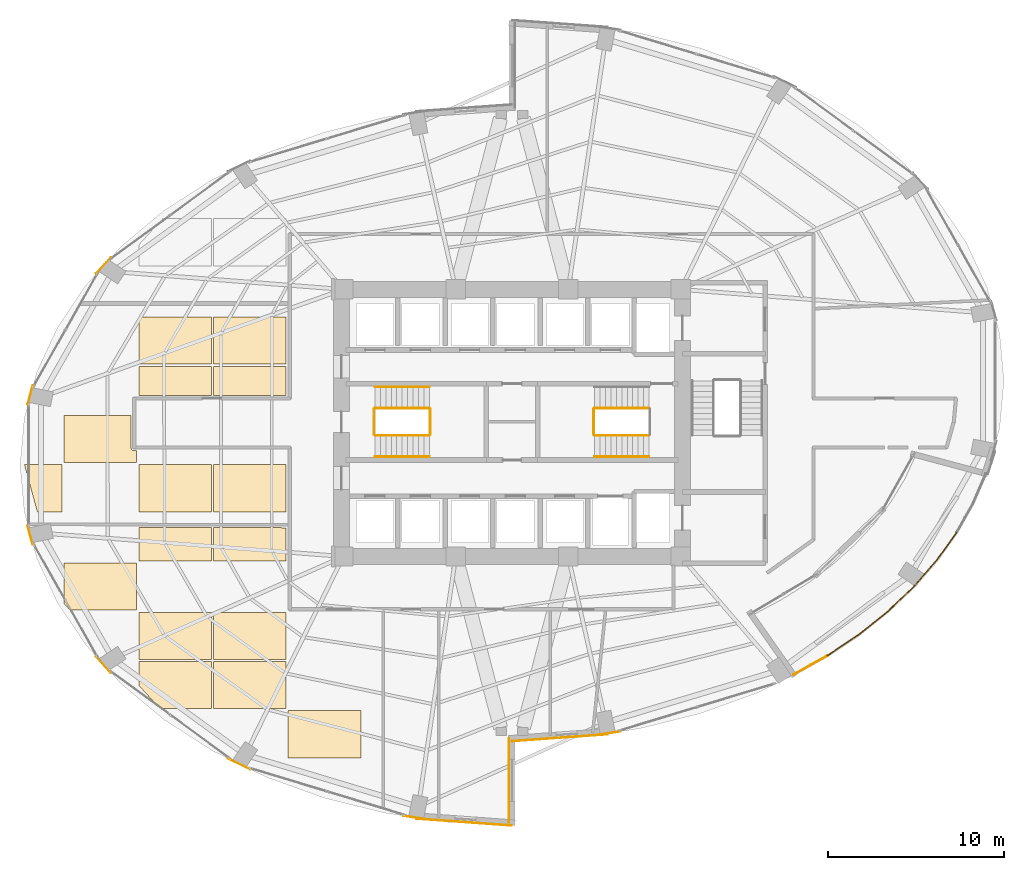
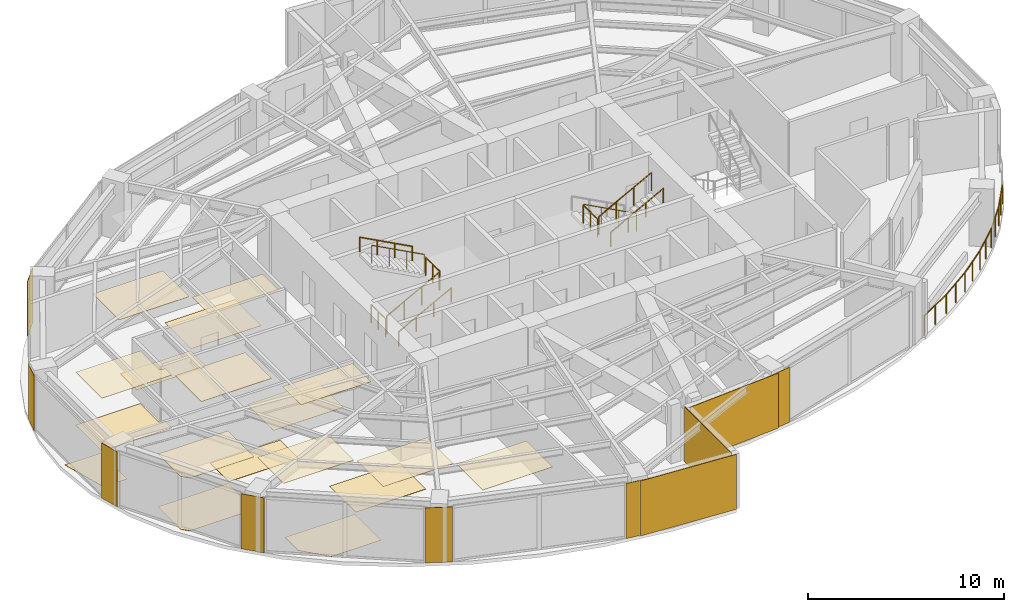
# One storey, part 23 of 24: 28 coverings, 16 railings.
"""IFC4 building model written with IfcOpenShell, lengths in metres."""

from ifc_helpers import new_model, si_unit, direction, frame, origin, origin_2d, place, context, subcontext, project, spatial, polyline, rectangle, circle, outline, extrude, material, layer, layer_set, type_object, element, save


model = new_model("IFC4")

# Units and contexts
model_context = context("Model", 3, precision=1e-05, world=origin(), true_north=direction((0.0, 1.0)))
body_context = subcontext(model_context, "Body", "Model", "MODEL_VIEW")
ifc_project = project(units=[si_unit("LENGTHUNIT", "METRE"), si_unit("AREAUNIT", "SQUARE_METRE"), si_unit("VOLUMEUNIT", "CUBIC_METRE"), si_unit("PLANEANGLEUNIT", "RADIAN"), si_unit("MASSUNIT", "GRAM", prefix="KILO")], contexts=[model_context])

# Site, building, storey
site_placement = place(None, origin())
site = spatial("IfcSite", under=ifc_project, at=site_placement, CompositionType="ELEMENT")
building_placement = place(site_placement, origin())
building = spatial("IfcBuilding", under=site, at=building_placement, Name="Lazwardi Medical Tower", CompositionType="ELEMENT")
storey_placement = place(building_placement, frame((0.0, 0.0, 58.031982421875)))
storey = spatial("IfcBuildingStorey", under=building, at=storey_placement, Name="L14", CompositionType="ELEMENT", Elevation=58.031982421875)

# Coverings
ifc_material_1 = material(Name="Anodised bronze aluminium cassette cladding", Category="aluminium")
ifc_layer_1 = layer(ifc_material_1, 0.030029296875)
ifc_layer_set_1 = layer_set([ifc_layer_1], Name="Anodised bronze aluminium cassette cladding")
covering_type_1 = type_object("IfcCoveringType", Name="COV-CLD-BRZ", PredefinedType="CLADDING", material=ifc_layer_set_1)
covering_1_placement = place(storey_placement, frame((41.454345703125, 10.33251953125, 0.0), z_axis=(0.0, 0.0, 1.0), x_axis=(0.98957259946, 0.144034962415, 0.0)))
element("IfcCovering", 1, at=covering_1_placement, inside=storey, type_object=covering_type_1, Name="L14 Mega-column bronze cassette cover M01", PredefinedType="CLADDING", context=body_context, shape_type="SweptSolid", body=[
    extrude(rectangle(XDim=1.49951171875, YDim=0.030029296875, at=origin_2d()), origin(), (0.0, 0.0, 1.0), 3.427978515625),
])
covering_2_placement = place(storey_placement, frame((12.75390625, 36.96728515625, 0.0), z_axis=(0.0, 0.0, 1.0), x_axis=(-0.674252120961, -0.738501237223, 0.0)))
element("IfcCovering", 2, at=covering_2_placement, inside=storey, type_object=covering_type_1, Name="L14 Mega-column bronze cassette cover M11", PredefinedType="CLADDING", context=body_context, shape_type="SweptSolid", body=[
    extrude(rectangle(XDim=1.24658203125, YDim=0.030029296875, at=origin_2d()), origin(), (0.0, 0.0, 1.0), 3.427978515625),
])
for number, where, z_axis, x_axis, name in (
    (3, (8.579345703125, 29.591796875, 0.0), (0.0, 0.0, 1.0), (-0.262283496593, -0.964990863902, 0.0), "L14 Mega-column bronze cassette cover M12"),
    (4, (8.579345703125, 21.6083984375, 0.0), (0.0, 0.0, 1.0), (0.262283496593, -0.964990863902, 0.0), "L14 Mega-column bronze cassette cover M13"),
):
    element("IfcCovering", number, at=place(storey_placement, frame(where, z_axis=z_axis, x_axis=x_axis)), inside=storey, type_object=covering_type_1, Name=name, PredefinedType="CLADDING", context=body_context, shape_type="SweptSolid", body=[
        extrude(rectangle(XDim=1.12548828125, YDim=0.030029296875, at=origin_2d()), origin(), (0.0, 0.0, 1.0), 3.427978515625),
    ])
covering_3_placement = place(storey_placement, frame((12.75390625, 14.232666015625, 0.0), z_axis=(0.0, 0.0, 1.0), x_axis=(0.674252120961, -0.738501237223, 0.0)))
element("IfcCovering", 5, at=covering_3_placement, inside=storey, type_object=covering_type_1, Name="L14 Mega-column bronze cassette cover M14", PredefinedType="CLADDING", context=body_context, shape_type="SweptSolid", body=[
    extrude(rectangle(XDim=1.24658203125, YDim=0.030029296875, at=origin_2d()), origin(), (0.0, 0.0, 1.0), 3.427978515625),
])
covering_4_placement = place(storey_placement, frame((20.467529296875, 8.587646484375, 0.0), z_axis=(0.0, 0.0, 1.0), x_axis=(0.898334492373, -0.439312121178, 0.0)))
element("IfcCovering", 6, at=covering_4_placement, inside=storey, type_object=covering_type_1, Name="L14 Mega-column bronze cassette cover M15", PredefinedType="CLADDING", context=body_context, shape_type="SweptSolid", body=[
    extrude(rectangle(XDim=1.400390625, YDim=0.030029296875, at=origin_2d()), origin(), (0.0, 0.0, 1.0), 3.427978515625),
])
covering_5_placement = place(storey_placement, frame((30.545654296875, 5.53271484375, 0.0), z_axis=(0.0, 0.0, 1.0), x_axis=(0.98957259946, -0.144034962415, 0.0)))
element("IfcCovering", 7, at=covering_5_placement, inside=storey, type_object=covering_type_1, Name="L14 Mega-column bronze cassette cover M16", PredefinedType="CLADDING", context=body_context, shape_type="SweptSolid", body=[
    extrude(rectangle(XDim=1.49951171875, YDim=0.030029296875, at=origin_2d()), origin(), (0.0, 0.0, 1.0), 3.427978515625),
])
ifc_material_2 = material(Name="Turquoise glazed ceramic tilework cladding", Category="masonry")
ifc_layer_2 = layer(ifc_material_2, 0.034912109375)
ifc_layer_set_2 = layer_set([ifc_layer_2], Name="Turquoise glazed ceramic tilework cladding")
covering_type_2 = type_object("IfcCoveringType", Name="COV-CLD-TRQ", PredefinedType="CLADDING", material=ifc_layer_set_2)
covering_6_placement = place(storey_placement, frame((38.728271484375, 10.080322265625, 0.0), z_axis=(0.0, 0.0, 1.0), x_axis=(0.997421404513, 0.071767275412, 0.0)))
element("IfcCovering", 8, at=covering_6_placement, inside=storey, type_object=covering_type_2, Name="L14 Turquoise glazed ceramic tilework cladding", PredefinedType="CLADDING", context=body_context, shape_type="SweptSolid", body=[
    extrude(rectangle(XDim=5.4453125, YDim=0.034912109375, at=origin_2d()), origin(), (0.0, 0.0, 1.0), 3.427978515625),
])
covering_7_placement = place(storey_placement, frame((33.271484375, 5.280517578125, 0.0), z_axis=(0.0, 0.0, 1.0), x_axis=(0.997420903458, -0.071774238726, 0.0)))
element("IfcCovering", 9, at=covering_7_placement, inside=storey, type_object=covering_type_2, Name="L14 Turquoise glazed ceramic tilework cladding", PredefinedType="CLADDING", context=body_context, shape_type="SweptSolid", body=[
    extrude(rectangle(XDim=5.44482421875, YDim=0.034912109375, at=origin_2d()), origin(), (0.0, 0.0, 1.0), 3.427978515625),
])
covering_8_placement = place(storey_placement, frame((35.824462890625, 7.659912109375, 0.0), z_axis=(0.0, 0.0, 1.0), x_axis=(0.0, 1.0, 0.0)))
element("IfcCovering", 10, at=covering_8_placement, inside=storey, type_object=covering_type_2, Name="L14 Turquoise glazed ceramic tilework iwan panel", PredefinedType="CLADDING", context=body_context, shape_type="SweptSolid", body=[
    extrude(rectangle(XDim=4.800048828125, YDim=0.034912109375, at=origin_2d()), origin(), (0.0, 0.0, 1.0), 3.427978515625),
])
ifc_material_3 = material(Name="Acoustic mineral fibre tile")
ifc_layer_3 = layer(ifc_material_3, 0.02490234375)
ifc_layer_set_3 = layer_set([ifc_layer_3], Name="Acoustic mineral fibre tile")
covering_type_3 = type_object("IfcCoveringType", Name="COV-CLG-01", PredefinedType="CEILING", material=ifc_layer_set_3)
covering_9_placement = place(storey_placement, frame((0.0, 0.0, 3.282958984375)))
element("IfcCovering", 11, at=covering_9_placement, inside=storey, type_object=covering_type_3, Name="L14 Clinical Acoustic Ceiling 1", PredefinedType="CEILING", context=body_context, shape_type="SweptSolid", body=[
    extrude(outline(polyline([(10.512939453125, 17.707275390625), (10.846435546875, 17.342529296875), (14.642822265625, 17.342529296875), (14.642822265625, 20.0224609375), (10.512939453125, 20.0224609375), (10.512939453125, 17.707275390625)])), origin(), (0.0, 0.0, 1.0), 0.025146484375),
])
covering_10_placement = place(storey_placement, frame((0.0, 0.0, 3.282958984375)))
element("IfcCovering", 12, at=covering_10_placement, inside=storey, type_object=covering_type_3, Name="L14 Clinical Acoustic Ceiling 2", PredefinedType="CEILING", context=body_context, shape_type="SweptSolid", body=[
    extrude(outline(polyline([(14.642822265625, 26.425048828125), (14.5, 26.425048828125), (14.49560546875, 26.425048828125), (14.486328125, 26.425537109375), (14.4794921875, 26.42626953125), (14.47021484375, 26.427490234375), (14.4619140625, 26.42919921875), (14.452880859375, 26.431396484375), (14.44580078125, 26.43359375), (14.43701171875, 26.436767578125), (14.42919921875, 26.43994140625), (14.4208984375, 26.444091796875), (14.4140625, 26.447509765625), (14.406005859375, 26.452392578125), (14.3994140625, 26.456787109375), (14.391845703125, 26.46240234375), (14.38623046875, 26.467041015625), (14.37939453125, 26.473388671875), (14.373291015625, 26.479248046875), (14.3671875, 26.486083984375), (14.362548828125, 26.49169921875), (14.35693359375, 26.499267578125), (14.352294921875, 26.506103515625), (14.34765625, 26.513916015625), (14.343994140625, 26.520751953125), (14.340087890625, 26.529296875), (14.336669921875, 26.537109375), (14.33349609375, 26.5458984375), (14.33154296875, 26.552734375), (14.3291015625, 26.56201171875), (14.32763671875, 26.5703125), (14.326416015625, 26.57958984375), (14.32568359375, 26.58642578125), (14.3251953125, 26.595703125), (14.324951171875, 26.60009765625), (14.324951171875, 28.422607421875), (10.512939453125, 28.422607421875), (10.512939453125, 25.742431640625), (14.642822265625, 25.742431640625), (14.642822265625, 26.425048828125)])), origin(), (0.0, 0.0, 1.0), 0.025146484375),
])
covering_11_placement = place(storey_placement, frame((0.0, 0.0, 3.282958984375)))
element("IfcCovering", 13, at=covering_11_placement, inside=storey, type_object=covering_type_3, Name="L14 Clinical Acoustic Ceiling 3", PredefinedType="CEILING", context=body_context, shape_type="SweptSolid", body=[
    extrude(outline(polyline([(18.892822265625, 14.54248046875), (18.892822265625, 17.222412109375), (14.762939453125, 17.222412109375), (14.762939453125, 14.54248046875), (18.892822265625, 14.54248046875)])), origin(), (0.0, 0.0, 1.0), 0.025146484375),
])
covering_12_placement = place(storey_placement, frame((0.0, 0.0, 3.282958984375)))
element("IfcCovering", 14, at=covering_12_placement, inside=storey, type_object=covering_type_3, Name="L14 Clinical Acoustic Ceiling 4", PredefinedType="CEILING", context=body_context, shape_type="SweptSolid", body=[
    extrude(outline(polyline([(18.892822265625, 22.9423828125), (18.892822265625, 25.62255859375), (14.762939453125, 25.62255859375), (14.762939453125, 22.9423828125), (18.892822265625, 22.9423828125)])), origin(), (0.0, 0.0, 1.0), 0.025146484375),
])
covering_13_placement = place(storey_placement, frame((0.0, 0.0, 3.282958984375)))
element("IfcCovering", 15, at=covering_13_placement, inside=storey, type_object=covering_type_3, Name="L14 Clinical Acoustic Ceiling 5", PredefinedType="CEILING", context=body_context, shape_type="SweptSolid", body=[
    extrude(outline(polyline([(18.892822265625, 31.342529296875), (18.892822265625, 34.0224609375), (14.762939453125, 34.0224609375), (14.762939453125, 31.342529296875), (18.892822265625, 31.342529296875)])), origin(), (0.0, 0.0, 1.0), 0.025146484375),
])
covering_14_placement = place(storey_placement, frame((0.0, 0.0, 3.282958984375)))
element("IfcCovering", 16, at=covering_14_placement, inside=storey, type_object=covering_type_3, Name="L14 Clinical Acoustic Ceiling 6", PredefinedType="CEILING", context=body_context, shape_type="SweptSolid", body=[
    extrude(outline(polyline([(23.142822265625, 11.742431640625), (23.142822265625, 14.422607421875), (19.012939453125, 14.422607421875), (19.012939453125, 11.742431640625), (23.142822265625, 11.742431640625)])), origin(), (0.0, 0.0, 1.0), 0.025146484375),
])
covering_15_placement = place(storey_placement, frame((0.0, 0.0, 3.282958984375)))
element("IfcCovering", 17, at=covering_15_placement, inside=storey, type_object=covering_type_3, Name="L14 Clinical Acoustic Ceiling 7", PredefinedType="CEILING", context=body_context, shape_type="SweptSolid", body=[
    extrude(outline(polyline([(23.142822265625, 22.035400390625), (19.012939453125, 22.044189453125), (19.012939453125, 20.142578125), (23.142822265625, 20.142578125), (23.142822265625, 22.035400390625)])), origin(), (0.0, 0.0, 1.0), 0.025146484375),
])
covering_16_placement = place(storey_placement, frame((0.0, 0.0, 3.282958984375)))
element("IfcCovering", 18, at=covering_16_placement, inside=storey, type_object=covering_type_3, Name="L14 Clinical Acoustic Ceiling 8", PredefinedType="CEILING", context=body_context, shape_type="SweptSolid", body=[
    extrude(outline(polyline([(19.012939453125, 29.574951171875), (23.142822265625, 29.574951171875), (23.142822265625, 31.222412109375), (19.012939453125, 31.222412109375), (19.012939453125, 29.574951171875)])), origin(), (0.0, 0.0, 1.0), 0.025146484375),
])
covering_17_placement = place(storey_placement, frame((0.0, 0.0, 3.282958984375)))
element("IfcCovering", 19, at=covering_17_placement, inside=storey, type_object=covering_type_3, Name="L14 Clinical Acoustic Ceiling 10", PredefinedType="CEILING", context=body_context, shape_type="SweptSolid", body=[
    extrude(outline(polyline([(27.392822265625, 8.9423828125), (27.392822265625, 11.62255859375), (23.262939453125, 11.62255859375), (23.262939453125, 8.9423828125), (27.392822265625, 8.9423828125)])), origin(), (0.0, 0.0, 1.0), 0.025146484375),
])
ifc_material_4 = material(Name="Anti-static hospital vinyl sheet flooring")
ifc_layer_4 = layer(ifc_material_4, 0.014892578125)
ifc_layer_set_4 = layer_set([ifc_layer_4], Name="Anti-static hospital vinyl sheet flooring")
covering_type_4 = type_object("IfcCoveringType", Name="COV-FLR-01", PredefinedType="FLOORING", material=ifc_layer_set_4)
covering_18_placement = place(storey_placement, origin())
element("IfcCovering", 20, at=covering_18_placement, inside=storey, type_object=covering_type_4, Name="L14 Clinical Vinyl Flooring 1", PredefinedType="FLOORING", context=body_context, shape_type="SweptSolid", body=[
    extrude(outline(polyline([(8.26904296875, 25.62255859375), (8.262939453125, 25.60009765625), (8.98681640625, 22.9423828125), (10.392822265625, 22.9423828125), (10.392822265625, 25.62255859375), (8.26904296875, 25.62255859375)])), origin(), (0.0, 0.0, 1.0), 0.01513671875),
])
covering_19_placement = place(storey_placement, origin())
element("IfcCovering", 21, at=covering_19_placement, inside=storey, type_object=covering_type_4, Name="L14 Clinical Vinyl Flooring 2", PredefinedType="FLOORING", context=body_context, shape_type="SweptSolid", body=[
    extrude(outline(polyline([(10.512939453125, 17.707275390625), (10.846435546875, 17.342529296875), (14.642822265625, 17.342529296875), (14.642822265625, 20.0224609375), (10.512939453125, 20.0224609375), (10.512939453125, 17.707275390625)])), origin(), (0.0, 0.0, 1.0), 0.01513671875),
])
covering_20_placement = place(storey_placement, origin())
element("IfcCovering", 22, at=covering_20_placement, inside=storey, type_object=covering_type_4, Name="L14 Clinical Vinyl Flooring 3", PredefinedType="FLOORING", context=body_context, shape_type="SweptSolid", body=[
    extrude(outline(polyline([(14.642822265625, 26.425048828125), (14.5, 26.425048828125), (14.49560546875, 26.425048828125), (14.486328125, 26.425537109375), (14.4794921875, 26.42626953125), (14.47021484375, 26.427490234375), (14.4619140625, 26.42919921875), (14.452880859375, 26.431396484375), (14.44580078125, 26.43359375), (14.43701171875, 26.436767578125), (14.42919921875, 26.43994140625), (14.4208984375, 26.444091796875), (14.4140625, 26.447509765625), (14.406005859375, 26.452392578125), (14.3994140625, 26.456787109375), (14.391845703125, 26.46240234375), (14.38623046875, 26.467041015625), (14.37939453125, 26.473388671875), (14.373291015625, 26.479248046875), (14.3671875, 26.486083984375), (14.362548828125, 26.49169921875), (14.35693359375, 26.499267578125), (14.352294921875, 26.506103515625), (14.34765625, 26.513916015625), (14.343994140625, 26.520751953125), (14.340087890625, 26.529296875), (14.336669921875, 26.537109375), (14.33349609375, 26.5458984375), (14.33154296875, 26.552734375), (14.3291015625, 26.56201171875), (14.32763671875, 26.5703125), (14.326416015625, 26.57958984375), (14.32568359375, 26.58642578125), (14.3251953125, 26.595703125), (14.324951171875, 26.60009765625), (14.324951171875, 28.422607421875), (10.512939453125, 28.422607421875), (10.512939453125, 25.742431640625), (14.642822265625, 25.742431640625), (14.642822265625, 26.425048828125)])), origin(), (0.0, 0.0, 1.0), 0.01513671875),
])
covering_21_placement = place(storey_placement, origin())
element("IfcCovering", 23, at=covering_21_placement, inside=storey, type_object=covering_type_4, Name="L14 Clinical Vinyl Flooring 4", PredefinedType="FLOORING", context=body_context, shape_type="SweptSolid", body=[
    extrude(outline(polyline([(14.762939453125, 13.061279296875), (15.969482421875, 11.742431640625), (18.892822265625, 11.742431640625), (18.892822265625, 14.422607421875), (14.762939453125, 14.422607421875), (14.762939453125, 13.061279296875)])), origin(), (0.0, 0.0, 1.0), 0.01513671875),
])
covering_22_placement = place(storey_placement, origin())
element("IfcCovering", 24, at=covering_22_placement, inside=storey, type_object=covering_type_4, Name="L14 Clinical Vinyl Flooring 5", PredefinedType="FLOORING", context=body_context, shape_type="SweptSolid", body=[
    extrude(outline(polyline([(18.892822265625, 22.04443359375), (14.762939453125, 22.05322265625), (14.762939453125, 20.142578125), (18.892822265625, 20.142578125), (18.892822265625, 22.04443359375)])), origin(), (0.0, 0.0, 1.0), 0.01513671875),
])
covering_23_placement = place(storey_placement, origin())
element("IfcCovering", 25, at=covering_23_placement, inside=storey, type_object=covering_type_4, Name="L14 Clinical Vinyl Flooring 6", PredefinedType="FLOORING", context=body_context, shape_type="SweptSolid", body=[
    extrude(outline(polyline([(14.762939453125, 29.574951171875), (18.892822265625, 29.574951171875), (18.892822265625, 31.222412109375), (14.762939453125, 31.222412109375), (14.762939453125, 29.574951171875)])), origin(), (0.0, 0.0, 1.0), 0.01513671875),
])
covering_24_placement = place(storey_placement, origin())
element("IfcCovering", 26, at=covering_24_placement, inside=storey, type_object=covering_type_4, Name="L14 Clinical Vinyl Flooring 8", PredefinedType="FLOORING", context=body_context, shape_type="SweptSolid", body=[
    extrude(outline(polyline([(23.142822265625, 14.54248046875), (23.142822265625, 17.222412109375), (19.012939453125, 17.222412109375), (19.012939453125, 14.54248046875), (23.142822265625, 14.54248046875)])), origin(), (0.0, 0.0, 1.0), 0.01513671875),
])
covering_25_placement = place(storey_placement, origin())
element("IfcCovering", 27, at=covering_25_placement, inside=storey, type_object=covering_type_4, Name="L14 Clinical Vinyl Flooring 9", PredefinedType="FLOORING", context=body_context, shape_type="SweptSolid", body=[
    extrude(outline(polyline([(23.142822265625, 22.9423828125), (23.142822265625, 25.62255859375), (19.012939453125, 25.62255859375), (19.012939453125, 22.9423828125), (23.142822265625, 22.9423828125)])), origin(), (0.0, 0.0, 1.0), 0.01513671875),
])
covering_26_placement = place(storey_placement, origin())
element("IfcCovering", 28, at=covering_26_placement, inside=storey, type_object=covering_type_4, Name="L14 Clinical Vinyl Flooring 10", PredefinedType="FLOORING", context=body_context, shape_type="SweptSolid", body=[
    extrude(outline(polyline([(23.142822265625, 31.342529296875), (23.142822265625, 34.0224609375), (19.012939453125, 34.0224609375), (19.012939453125, 31.342529296875), (23.142822265625, 31.342529296875)])), origin(), (0.0, 0.0, 1.0), 0.01513671875),
])

# Railings
ifc_material_5 = material(Name="Stainless steel Grade 316", Category="steel")
railing_type_1 = type_object("IfcRailingType", Name="RLG-GRD-1150", PredefinedType="GUARDRAIL", material=ifc_material_5)
railing_1_placement = place(storey_placement, frame((28.199951171875, 27.2900390625, 0.165771484375)))
element("IfcRailing", 29, at=railing_1_placement, inside=storey, type_object=railing_type_1, Name="L14 ST1 stair guard 1", PredefinedType="GUARDRAIL", context=body_context, shape_type="SweptSolid", body=[
    extrude(circle(Radius=0.02392578125, at=origin_2d()), frame((0.0, 0.0, 1.1259765625), z_axis=(0.881783298633, 0.0, 0.471654761719), x_axis=(0.0, 1.0, 0.0)), (0.0, 0.0, 1.0), 3.515625),
    extrude(circle(Radius=0.02099609375, at=origin_2d()), origin(), (0.0, 0.0, 1.0), 1.099853515625),
    extrude(circle(Radius=0.02099609375, at=origin_2d()), frame((1.033447265625, 0.0, 0.552734375)), (0.0, 0.0, 1.0), 1.099853515625),
    extrude(circle(Radius=0.02099609375, at=origin_2d()), frame((2.066650390625, 0.0, 1.10546875)), (0.0, 0.0, 1.0), 1.099853515625),
    extrude(circle(Radius=0.02099609375, at=origin_2d()), frame((3.10009765625, 0.0, 1.658203125)), (0.0, 0.0, 1.0), 1.099853515625),
])
railing_2_placement = place(storey_placement, frame((31.35009765625, 27.340087890625, 1.823974609375)))
element("IfcRailing", 30, at=railing_2_placement, inside=storey, type_object=railing_type_1, Name="L14 ST1 stair guard 2", PredefinedType="GUARDRAIL", context=body_context, shape_type="SweptSolid", body=[
    extrude(circle(Radius=0.02392578125, at=origin_2d()), frame((0.0, 0.0, 1.1259765625), z_axis=(0.0, 1.0, 0.0), x_axis=(-1.0, 0.0, 0.0)), (0.0, 0.0, 1.0), 1.43994140625),
    extrude(circle(Radius=0.02099609375, at=origin_2d()), origin(), (0.0, 0.0, 1.0), 1.099853515625),
    extrude(circle(Radius=0.02099609375, at=origin_2d()), frame((0.0, 0.719970703125, 0.0)), (0.0, 0.0, 1.0), 1.099853515625),
    extrude(circle(Radius=0.02099609375, at=origin_2d()), frame((0.0, 1.43994140625, 0.0)), (0.0, 0.0, 1.0), 1.099853515625),
])
railing_3_placement = place(storey_placement, frame((31.300048828125, 28.830078125, 1.98974609375)))
element("IfcRailing", 31, at=railing_3_placement, inside=storey, type_object=railing_type_1, Name="L14 ST1 stair guard 3", PredefinedType="GUARDRAIL", context=body_context, shape_type="SweptSolid", body=[
    extrude(circle(Radius=0.02392578125, at=origin_2d()), frame((0.0, 0.0, 1.1259765625), z_axis=(-0.881783298633, 0.0, 0.471654761719), x_axis=(0.0, -1.0, 0.0)), (0.0, 0.0, 1.0), 3.515625),
    extrude(circle(Radius=0.02099609375, at=origin_2d()), origin(), (0.0, 0.0, 1.0), 1.099853515625),
    extrude(circle(Radius=0.02099609375, at=origin_2d()), frame((-1.033447265625, 0.0, 0.552734375)), (0.0, 0.0, 1.0), 1.099853515625),
    extrude(circle(Radius=0.02099609375, at=origin_2d()), frame((-2.066650390625, 0.0, 1.10546875)), (0.0, 0.0, 1.0), 1.099853515625),
    extrude(circle(Radius=0.02099609375, at=origin_2d()), frame((-3.10009765625, 0.0, 1.658203125)), (0.0, 0.0, 1.0), 1.099853515625),
])
railing_4_placement = place(storey_placement, frame((28.14990234375, 27.340087890625, 0.0)))
element("IfcRailing", 32, at=railing_4_placement, inside=storey, type_object=railing_type_1, Name="L14 ST1 stair guard 4", PredefinedType="GUARDRAIL", context=body_context, shape_type="SweptSolid", body=[
    extrude(circle(Radius=0.02392578125, at=origin_2d()), frame((0.0, 0.0, 1.1259765625), z_axis=(0.0, 1.0, 0.0), x_axis=(-1.0, 0.0, 0.0)), (0.0, 0.0, 1.0), 1.43994140625),
    extrude(circle(Radius=0.02099609375, at=origin_2d()), origin(), (0.0, 0.0, 1.0), 1.099853515625),
    extrude(circle(Radius=0.02099609375, at=origin_2d()), frame((0.0, 0.719970703125, 0.0)), (0.0, 0.0, 1.0), 1.099853515625),
    extrude(circle(Radius=0.02099609375, at=origin_2d()), frame((0.0, 1.43994140625, 0.0)), (0.0, 0.0, 1.0), 1.099853515625),
])
railing_5_placement = place(storey_placement, frame((43.800048828125, 28.830078125, 0.165771484375)))
element("IfcRailing", 33, at=railing_5_placement, inside=storey, type_object=railing_type_1, Name="L14 ST2 stair guard 1", PredefinedType="GUARDRAIL", context=body_context, shape_type="SweptSolid", body=[
    extrude(circle(Radius=0.02392578125, at=origin_2d()), frame((0.0, 0.0, 1.1259765625), z_axis=(-0.881783298633, 0.0, 0.471654761719), x_axis=(0.0, -1.0, 0.0)), (0.0, 0.0, 1.0), 3.515625),
    extrude(circle(Radius=0.02099609375, at=origin_2d()), origin(), (0.0, 0.0, 1.0), 1.099853515625),
    extrude(circle(Radius=0.02099609375, at=origin_2d()), frame((-1.033447265625, 0.0, 0.552734375)), (0.0, 0.0, 1.0), 1.099853515625),
    extrude(circle(Radius=0.02099609375, at=origin_2d()), frame((-2.066650390625, 0.0, 1.10546875)), (0.0, 0.0, 1.0), 1.099853515625),
    extrude(circle(Radius=0.02099609375, at=origin_2d()), frame((-3.10009765625, 0.0, 1.658203125)), (0.0, 0.0, 1.0), 1.099853515625),
])
railing_6_placement = place(storey_placement, frame((40.64990234375, 28.780029296875, 1.823974609375)))
element("IfcRailing", 34, at=railing_6_placement, inside=storey, type_object=railing_type_1, Name="L14 ST2 stair guard 2", PredefinedType="GUARDRAIL", context=body_context, shape_type="SweptSolid", body=[
    extrude(circle(Radius=0.02392578125, at=origin_2d()), frame((0.0, 0.0, 1.1259765625), z_axis=(0.0, -1.0, 0.0), x_axis=(1.0, 0.0, 0.0)), (0.0, 0.0, 1.0), 1.43994140625),
    extrude(circle(Radius=0.02099609375, at=origin_2d()), origin(), (0.0, 0.0, 1.0), 1.099853515625),
    extrude(circle(Radius=0.02099609375, at=origin_2d()), frame((0.0, -0.719970703125, 0.0)), (0.0, 0.0, 1.0), 1.099853515625),
    extrude(circle(Radius=0.02099609375, at=origin_2d()), frame((0.0, -1.43994140625, 0.0)), (0.0, 0.0, 1.0), 1.099853515625),
])
railing_7_placement = place(storey_placement, frame((40.699951171875, 27.2900390625, 1.98974609375)))
element("IfcRailing", 35, at=railing_7_placement, inside=storey, type_object=railing_type_1, Name="L14 ST2 stair guard 3", PredefinedType="GUARDRAIL", context=body_context, shape_type="SweptSolid", body=[
    extrude(circle(Radius=0.02392578125, at=origin_2d()), frame((0.0, 0.0, 1.1259765625), z_axis=(0.881783298633, 0.0, 0.471654761719), x_axis=(0.0, 1.0, 0.0)), (0.0, 0.0, 1.0), 3.515625),
    extrude(circle(Radius=0.02099609375, at=origin_2d()), origin(), (0.0, 0.0, 1.0), 1.099853515625),
    extrude(circle(Radius=0.02099609375, at=origin_2d()), frame((1.033447265625, 0.0, 0.552734375)), (0.0, 0.0, 1.0), 1.099853515625),
    extrude(circle(Radius=0.02099609375, at=origin_2d()), frame((2.066650390625, 0.0, 1.10546875)), (0.0, 0.0, 1.0), 1.099853515625),
    extrude(circle(Radius=0.02099609375, at=origin_2d()), frame((3.10009765625, 0.0, 1.658203125)), (0.0, 0.0, 1.0), 1.099853515625),
])
railing_type_2 = type_object("IfcRailingType", Name="RLG-HND-920", PredefinedType="HANDRAIL", material=ifc_material_5)
railing_8_placement = place(storey_placement, frame((28.199951171875, 26.070068359375, 0.165771484375)))
element("IfcRailing", 36, at=railing_8_placement, inside=storey, type_object=railing_type_2, Name="L14 ST1 stair handrail 1", PredefinedType="HANDRAIL", context=body_context, shape_type="SweptSolid", body=[
    extrude(circle(Radius=0.02392578125, at=origin_2d()), frame((0.0, 0.0, 0.8857421875), z_axis=(0.881783298633, 0.0, 0.471654761719), x_axis=(0.0, 1.0, 0.0)), (0.0, 0.0, 1.0), 3.515625),
    extrude(circle(Radius=0.02099609375, at=origin_2d()), origin(), (0.0, 0.0, 1.0), 0.85986328125),
    extrude(circle(Radius=0.02099609375, at=origin_2d()), frame((1.033447265625, 0.0, 0.552734375)), (0.0, 0.0, 1.0), 0.85986328125),
    extrude(circle(Radius=0.02099609375, at=origin_2d()), frame((2.066650390625, 0.0, 1.10546875)), (0.0, 0.0, 1.0), 0.85986328125),
    extrude(circle(Radius=0.02099609375, at=origin_2d()), frame((3.10009765625, 0.0, 1.658203125)), (0.0, 0.0, 1.0), 0.85986328125),
])
railing_9_placement = place(storey_placement, frame((31.300048828125, 30.050048828125, 1.98974609375)))
element("IfcRailing", 37, at=railing_9_placement, inside=storey, type_object=railing_type_2, Name="L14 ST1 stair handrail 2", PredefinedType="HANDRAIL", context=body_context, shape_type="SweptSolid", body=[
    extrude(circle(Radius=0.02392578125, at=origin_2d()), frame((0.0, 0.0, 0.8857421875), z_axis=(-0.881783298633, 0.0, 0.471654761719), x_axis=(0.0, -1.0, 0.0)), (0.0, 0.0, 1.0), 3.515625),
    extrude(circle(Radius=0.02099609375, at=origin_2d()), origin(), (0.0, 0.0, 1.0), 0.85986328125),
    extrude(circle(Radius=0.02099609375, at=origin_2d()), frame((-1.033447265625, 0.0, 0.552734375)), (0.0, 0.0, 1.0), 0.85986328125),
    extrude(circle(Radius=0.02099609375, at=origin_2d()), frame((-2.066650390625, 0.0, 1.10546875)), (0.0, 0.0, 1.0), 0.85986328125),
    extrude(circle(Radius=0.02099609375, at=origin_2d()), frame((-3.10009765625, 0.0, 1.658203125)), (0.0, 0.0, 1.0), 0.85986328125),
])
railing_10_placement = place(storey_placement, frame((40.699951171875, 26.070068359375, 1.98974609375)))
element("IfcRailing", 38, at=railing_10_placement, inside=storey, type_object=railing_type_2, Name="L14 ST2 stair handrail 2", PredefinedType="HANDRAIL", context=body_context, shape_type="SweptSolid", body=[
    extrude(circle(Radius=0.02392578125, at=origin_2d()), frame((0.0, 0.0, 0.8857421875), z_axis=(0.881783298633, 0.0, 0.471654761719), x_axis=(0.0, 1.0, 0.0)), (0.0, 0.0, 1.0), 3.515625),
    extrude(circle(Radius=0.02099609375, at=origin_2d()), origin(), (0.0, 0.0, 1.0), 0.85986328125),
    extrude(circle(Radius=0.02099609375, at=origin_2d()), frame((1.033447265625, 0.0, 0.552734375)), (0.0, 0.0, 1.0), 0.85986328125),
    extrude(circle(Radius=0.02099609375, at=origin_2d()), frame((2.066650390625, 0.0, 1.10546875)), (0.0, 0.0, 1.0), 0.85986328125),
    extrude(circle(Radius=0.02099609375, at=origin_2d()), frame((3.10009765625, 0.0, 1.658203125)), (0.0, 0.0, 1.0), 0.85986328125),
])
ifc_material_6 = material(Name="Anodised bronze aluminium and laminated glass", Category="aluminium")
railing_type_3 = type_object("IfcRailingType", Name="RLG-SKG-1250", PredefinedType="GUARDRAIL", material=ifc_material_6)
railing_11_placement = place(storey_placement, frame((52.014404296875, 13.6728515625, 0.0)))
element("IfcRailing", 39, at=railing_11_placement, inside=storey, type_object=railing_type_3, Name="L14 Sky Garden SG1 Perimeter Guard 01", PredefinedType="GUARDRAIL", context=body_context, shape_type="SweptSolid", body=[
    extrude(circle(Radius=0.02392578125, at=origin_2d()), frame((0.0, 0.0, 1.22607421875), z_axis=(0.872028341795, 0.48945538214, 0.0), x_axis=(-0.48945538214, 0.872028341795, 0.0)), (0.0, 0.0, 1.0), 2.215576171875),
    extrude(circle(Radius=0.02099609375, at=origin_2d()), origin(), (0.0, 0.0, 1.0), 1.199951171875),
    extrude(circle(Radius=0.02099609375, at=origin_2d()), frame((0.966064453125, 0.542236328125, 0.0)), (0.0, 0.0, 1.0), 1.199951171875),
    extrude(circle(Radius=0.02099609375, at=origin_2d()), frame((1.93212890625, 1.08447265625, 0.0)), (0.0, 0.0, 1.0), 1.199951171875),
])
railing_12_placement = place(storey_placement, frame((53.946533203125, 14.75732421875, 0.0)))
element("IfcRailing", 40, at=railing_12_placement, inside=storey, type_object=railing_type_3, Name="L14 Sky Garden SG1 Perimeter Guard 02", PredefinedType="GUARDRAIL", context=body_context, shape_type="SweptSolid", body=[
    extrude(circle(Radius=0.02392578125, at=origin_2d()), frame((0.0, 0.0, 1.22607421875), z_axis=(0.830692684685, 0.556731231036, 0.0), x_axis=(-0.556731231036, 0.830692684685, 0.0)), (0.0, 0.0, 1.0), 2.161865234375),
    extrude(circle(Radius=0.02099609375, at=origin_2d()), origin(), (0.0, 0.0, 1.0), 1.199951171875),
    extrude(circle(Radius=0.02099609375, at=origin_2d()), frame((0.89794921875, 0.601806640625, 0.0)), (0.0, 0.0, 1.0), 1.199951171875),
    extrude(circle(Radius=0.02099609375, at=origin_2d()), frame((1.7958984375, 1.20361328125, 0.0)), (0.0, 0.0, 1.0), 1.199951171875),
])
railing_13_placement = place(storey_placement, frame((55.742431640625, 15.9609375, 0.0)))
element("IfcRailing", 41, at=railing_13_placement, inside=storey, type_object=railing_type_3, Name="L14 Sky Garden SG1 Perimeter Guard 03", PredefinedType="GUARDRAIL", context=body_context, shape_type="SweptSolid", body=[
    extrude(circle(Radius=0.02392578125, at=origin_2d()), frame((0.0, 0.0, 1.22607421875), z_axis=(0.781547118513, 0.623846216261, 0.0), x_axis=(-0.623846216261, 0.781547118513, 0.0)), (0.0, 0.0, 1.0), 2.10546875),
    extrude(circle(Radius=0.02099609375, at=origin_2d()), origin(), (0.0, 0.0, 1.0), 1.199951171875),
    extrude(circle(Radius=0.02099609375, at=origin_2d()), frame((0.82275390625, 0.65673828125, 0.0)), (0.0, 0.0, 1.0), 1.199951171875),
    extrude(circle(Radius=0.02099609375, at=origin_2d()), frame((1.6455078125, 1.3134765625, 0.0)), (0.0, 0.0, 1.0), 1.199951171875),
])
railing_14_placement = place(storey_placement, frame((57.387939453125, 17.2744140625, 0.0)))
element("IfcRailing", 42, at=railing_14_placement, inside=storey, type_object=railing_type_3, Name="L14 Sky Garden SG1 Perimeter Guard 04", PredefinedType="GUARDRAIL", context=body_context, shape_type="SweptSolid", body=[
    extrude(circle(Radius=0.02392578125, at=origin_2d()), frame((0.0, 0.0, 1.22607421875), z_axis=(0.723888432792, 0.689917050717, 0.0), x_axis=(-0.689917050717, 0.723888432792, 0.0)), (0.0, 0.0, 1.0), 2.048095703125),
    extrude(circle(Radius=0.02099609375, at=origin_2d()), origin(), (0.0, 0.0, 1.0), 1.199951171875),
    extrude(circle(Radius=0.02099609375, at=origin_2d()), frame((0.7412109375, 0.70654296875, 0.0)), (0.0, 0.0, 1.0), 1.199951171875),
    extrude(circle(Radius=0.02099609375, at=origin_2d()), frame((1.482666015625, 1.4130859375, 0.0)), (0.0, 0.0, 1.0), 1.199951171875),
])
railing_15_placement = place(storey_placement, frame((58.87060546875, 18.6875, 0.0)))
element("IfcRailing", 43, at=railing_15_placement, inside=storey, type_object=railing_type_3, Name="L14 Sky Garden SG1 Perimeter Guard 05", PredefinedType="GUARDRAIL", context=body_context, shape_type="SweptSolid", body=[
    extrude(circle(Radius=0.02392578125, at=origin_2d()), frame((0.0, 0.0, 1.22607421875), z_axis=(0.656854908945, 0.754016994898, 0.0), x_axis=(-0.754016994898, 0.656854908945, 0.0)), (0.0, 0.0, 1.0), 1.99267578125),
    extrude(circle(Radius=0.02099609375, at=origin_2d()), origin(), (0.0, 0.0, 1.0), 1.199951171875),
    extrude(circle(Radius=0.02099609375, at=origin_2d()), frame((0.654296875, 0.751220703125, 0.0)), (0.0, 0.0, 1.0), 1.199951171875),
    extrude(circle(Radius=0.02099609375, at=origin_2d()), frame((1.308837890625, 1.50244140625, 0.0)), (0.0, 0.0, 1.0), 1.199951171875),
])
railing_16_placement = place(storey_placement, frame((60.179443359375, 20.18994140625, 0.0)))
element("IfcRailing", 44, at=railing_16_placement, inside=storey, type_object=railing_type_3, Name="L14 Sky Garden SG1 Perimeter Guard 06", PredefinedType="GUARDRAIL", context=body_context, shape_type="SweptSolid", body=[
    extrude(circle(Radius=0.02392578125, at=origin_2d()), frame((0.0, 0.0, 1.22607421875), z_axis=(0.579915717645, 0.814676475927, 0.0), x_axis=(-0.814676475927, 0.579915717645, 0.0)), (0.0, 0.0, 1.0), 1.939453125),
    extrude(circle(Radius=0.02099609375, at=origin_2d()), origin(), (0.0, 0.0, 1.0), 1.199951171875),
    extrude(circle(Radius=0.02099609375, at=origin_2d()), frame((0.5625, 0.7900390625, 0.0)), (0.0, 0.0, 1.0), 1.199951171875),
    extrude(circle(Radius=0.02099609375, at=origin_2d()), frame((1.124755859375, 1.580078125, 0.0)), (0.0, 0.0, 1.0), 1.199951171875),
])

save(model, "model.ifc")
